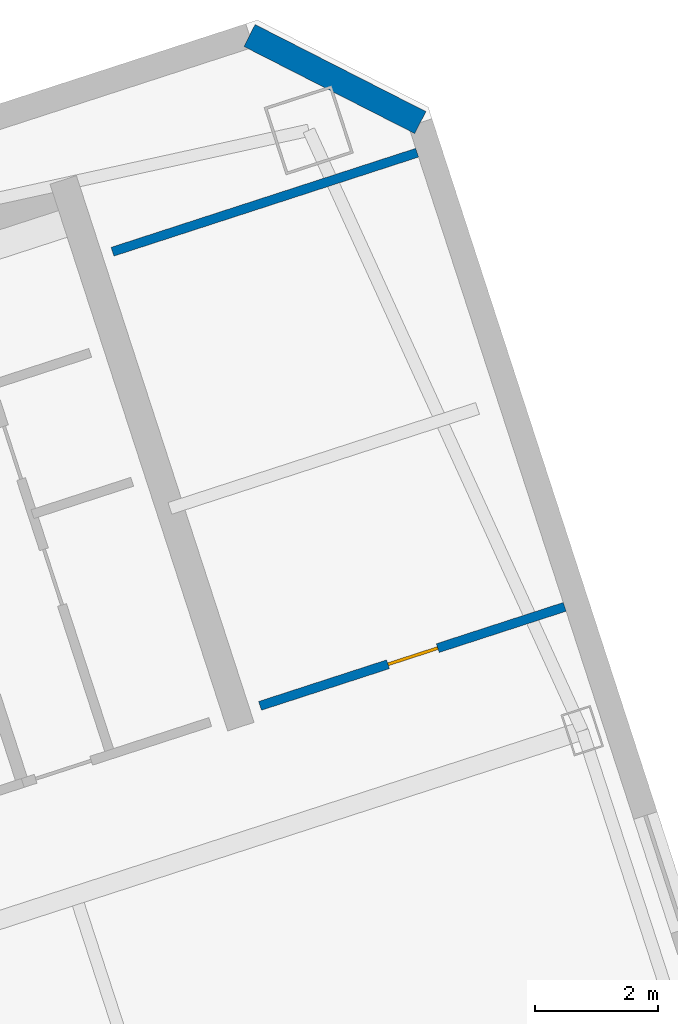
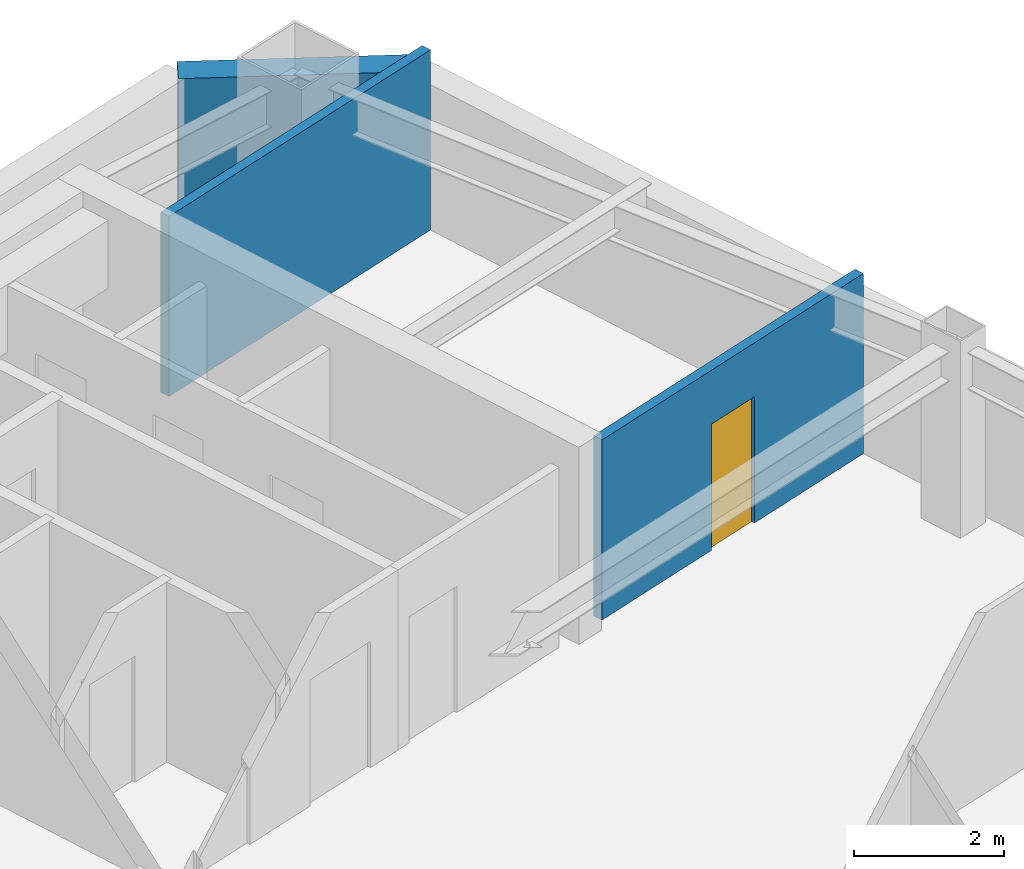
# One storey, part 17 of 20: 3 walls, 1 door, 1 opening.
"""IFC4 building model written with IfcOpenShell, lengths in metres."""

from ifc_helpers import new_model, si_unit, direction, frame, frame_2d, origin, place, context, subcontext, project, spatial, rectangle, extrude, material, layer, layer_set, type_object, element, fill, save


model = new_model("IFC4")

# Units and contexts
model_context = context("Model", 3, precision=1e-05, world=origin(), true_north=direction((0.0, 1.0)))
body_context = subcontext(model_context, "Body", "Model", "MODEL_VIEW")
ifc_project = project(units=[si_unit("LENGTHUNIT", "METRE"), si_unit("AREAUNIT", "SQUARE_METRE"), si_unit("VOLUMEUNIT", "CUBIC_METRE"), si_unit("PLANEANGLEUNIT", "RADIAN"), si_unit("MASSUNIT", "GRAM", prefix="KILO")], contexts=[model_context])

# Site, building, storey
site_placement = place(None, origin())
site = spatial("IfcSite", under=ifc_project, at=site_placement, CompositionType="ELEMENT")
building_placement = place(site_placement, origin())
building = spatial("IfcBuilding", under=site, at=building_placement, Name="Qiaolan Cultural Towers", CompositionType="ELEMENT")
storey_placement = place(building_placement, frame((0.0, 0.0, 244.0)))
storey = spatial("IfcBuildingStorey", under=building, at=storey_placement, Name="L66", CompositionType="ELEMENT", Elevation=244.0)

# Walls
ifc_material_1 = material(Name="Precast Concrete C50 Honed Stone Pier", Category="masonry")
ifc_layer_1 = layer(ifc_material_1, 0.39990234375)
ifc_layer_set_1 = layer_set([ifc_layer_1], Name="Precast Concrete C50 Honed Stone Pier")
wall_type_1 = type_object("IfcWallType", Name="WL-EXT-PIER-400", PredefinedType="SOLIDWALL", material=ifc_layer_set_1)
wall_1_placement = place(storey_placement, frame((94.609619140625, 57.9990234375, 0.0), z_axis=(0.0, 0.0, 1.0), x_axis=(0.890979603174, -0.454043331334, 0.0)))
element("IfcWall", 1, at=wall_1_placement, inside=storey, type_object=wall_type_1, Name="L66 East Tower Precast Pier Facade Wall F4", PredefinedType="SOLIDWALL", context=body_context, shape_type="SweptSolid", body=[
    extrude(rectangle(XDim=3.111083984375, YDim=0.39990234375, at=frame_2d((1.5556640625, 0.0))), origin(), (0.0, 0.0, 1.0), 2.360107421875),
])
ifc_material_2 = material(Name="Autoclaved Aerated Concrete Block B06", Category="concrete")
ifc_layer_2 = layer(ifc_material_2, 0.14990234375)
ifc_layer_set_2 = layer_set([ifc_layer_2], Name="Autoclaved Aerated Concrete Block B06")
wall_type_2 = type_object("IfcWallType", Name="WL-PART-150", PredefinedType="PARTITIONING", material=ifc_layer_set_2)
wall_2_placement = place(storey_placement, frame((92.385009765625, 54.48974609375, 0.0), z_axis=(0.0, 0.0, 1.0), x_axis=(0.951055112834, 0.309021313752, 0.0)))
element("IfcWall", 2, at=wall_2_placement, inside=storey, type_object=wall_type_2, Name="L66 T2 Flank Wall FLK-NE", PredefinedType="PARTITIONING", context=body_context, shape_type="SweptSolid", body=[
    extrude(rectangle(XDim=5.2001953125, YDim=0.14990234375, at=frame_2d((2.60009765625, 0.0))), origin(), (0.0, 0.0, 1.0), 2.925048828125),
])

# Wall, opening, door
wall_3_placement = place(storey_placement, frame((94.77978515625, 47.119140625, 0.0), z_axis=(0.0, 0.0, 1.0), x_axis=(0.951055112834, 0.309021313752, 0.0)))
wall_3 = element("IfcWall", 3, at=wall_3_placement, inside=storey, type_object=wall_type_2, Name="L66 T2 Flank Front FLK-NE", PredefinedType="PARTITIONING", context=body_context, shape_type="SweptSolid", body=[
    extrude(rectangle(XDim=5.2001953125, YDim=0.14990234375, at=frame_2d((2.60009765625, 0.0))), origin(), (0.0, 0.0, 1.0), 2.925048828125),
])
opening_placement = place(wall_3_placement, frame((2.18408203125, 0.0, 0.0)))
opening = element("IfcOpeningElement", 4, at=opening_placement, cuts=wall_3, Name="Opening ID-09", PredefinedType="OPENING", context=body_context, shape_type="SweptSolid", body=[
    extrude(rectangle(XDim=0.85009765625, YDim=2.050048828125, at=frame_2d((0.425048828125, 1.02490234375))), frame((0.0, 0.0849609375, 0.0), z_axis=(0.0, -1.0, 0.0), x_axis=(1.0, 0.0, 0.0)), (0.0, 0.0, 1.0), 0.169921875),
])
ifc_material_3 = material(Name="Moisture-Resistant Laminate Utility Door", Category="timber")
door_type = type_object("IfcDoorType", Name="DR-INT-850", OperationType="NOTDEFINED", PredefinedType="DOOR", material=ifc_material_3)
door_placement = place(opening_placement, origin())
door = element("IfcDoor", 5, at=door_placement, inside=storey, type_object=door_type, Name="L66 T2 Corner Studio Door", OperationType="SINGLE_SWING_LEFT", OverallHeight=2.050048828125, OverallWidth=0.85009765625, PredefinedType="DOOR", context=body_context, shape_type="SweptSolid", body=[
    extrude(rectangle(XDim=0.85009765625, YDim=2.050048828125, at=frame_2d((0.425048828125, 1.02490234375))), frame((0.0, 0.02490234375, 0.0), z_axis=(0.0, -1.0, 0.0), x_axis=(1.0, 0.0, 0.0)), (0.0, 0.0, 1.0), 0.050048828125),
])
fill(opening, door)

save(model, "model.ifc")
